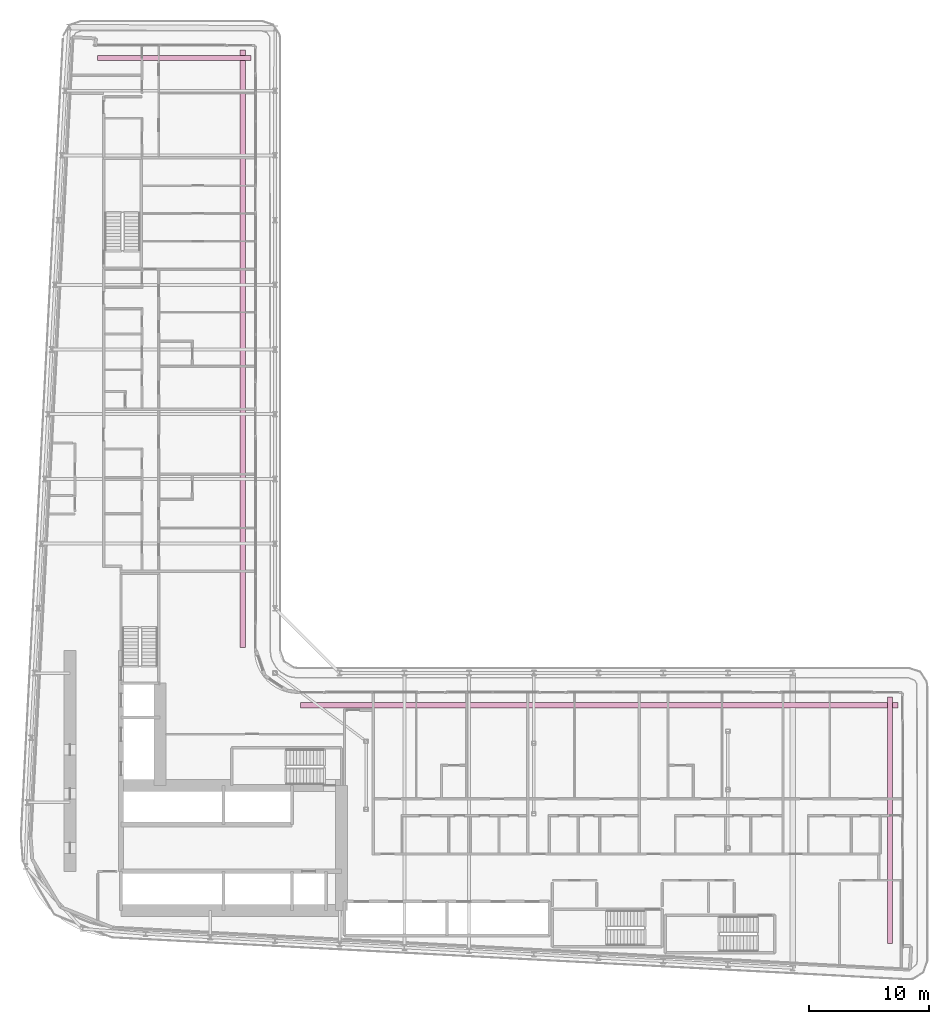
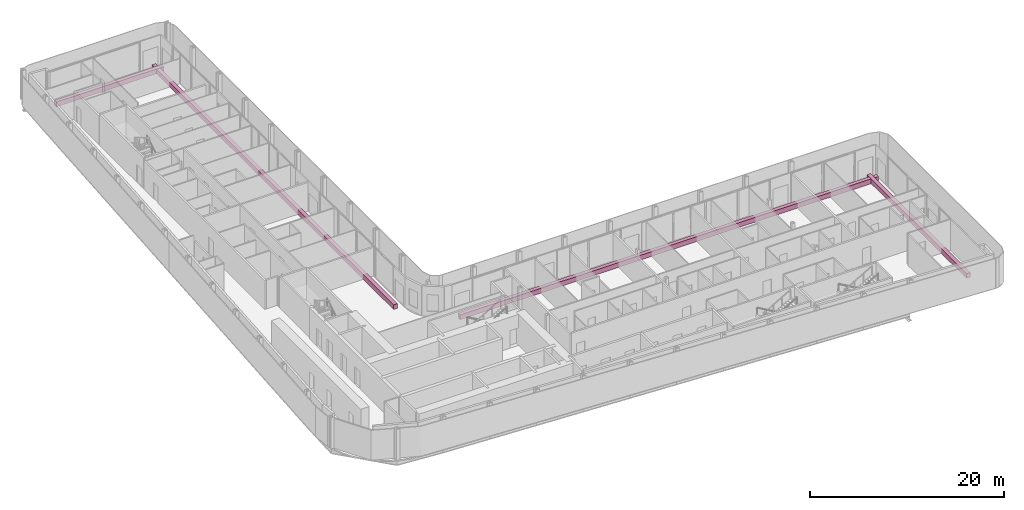
# One storey, part 27 of 27: 4 furniture elements.
"""IFC4 building model written with IfcOpenShell, lengths in metres."""

from ifc_helpers import new_model, si_unit, direction, frame, origin, origin_2d, place, context, subcontext, project, spatial, rectangle, extrude, material, type_object, element, save


model = new_model("IFC4")

# Units and contexts
model_context = context("Model", 3, precision=1e-05, world=origin(), true_north=direction((0.0, 1.0)))
body_context = subcontext(model_context, "Body", "Model", "MODEL_VIEW")
ifc_project = project(units=[si_unit("LENGTHUNIT", "METRE"), si_unit("AREAUNIT", "SQUARE_METRE"), si_unit("VOLUMEUNIT", "CUBIC_METRE"), si_unit("PLANEANGLEUNIT", "RADIAN"), si_unit("MASSUNIT", "GRAM", prefix="KILO")], contexts=[model_context])

# Site, building, storey
site_placement = place(None, origin())
site = spatial("IfcSite", under=ifc_project, at=site_placement, CompositionType="ELEMENT")
building_placement = place(site_placement, origin())
building = spatial("IfcBuilding", under=site, at=building_placement, Name="Kheshtan School and Residences Tower", CompositionType="ELEMENT")
storey_placement = place(building_placement, frame((0.0, 0.0, 53.89990234375)))
storey = spatial("IfcBuildingStorey", under=building, at=storey_placement, Name="L12", CompositionType="ELEMENT", Elevation=53.89990234375)

# Furniture
ifc_material = material(Name="Precast concrete C30/37 in terracotta finish", Category="masonry")
furniture_type = type_object("IfcFurnitureType", Name="Planter trough", AssemblyPlace="NOTDEFINED", PredefinedType="USERDEFINED", material=ifc_material)
furniture_1_placement = place(storey_placement, frame((39.196044921875, 96.925048828125, 0.0), z_axis=(0.0, 0.0, 1.0), x_axis=(1.0, 0.0, 0.0)))
element("IfcFurniture", 1, at=furniture_1_placement, inside=storey, type_object=furniture_type, Name="Planter L12", ObjectType="PLANTER", PredefinedType="USERDEFINED", context=body_context, shape_type="SweptSolid", body=[
    extrude(rectangle(XDim=12.80810546875, YDim=0.449951171875, at=origin_2d()), origin(), (0.0, 0.0, 1.0), 0.60009765625),
])
for number, where, z_axis, x_axis, name in (
    (2, (44.925048828125, 72.6650390625, 0.0), (0.0, 0.0, 1.0), (0.0, -1.0, 0.0), "Planter L12"),
    (3, (74.6650390625, 42.925048828125, 0.0), (0.0, 0.0, 1.0), (1.0, 0.0, 0.0), "Planter L12"),
):
    element("IfcFurniture", number, at=place(storey_placement, frame(where, z_axis=z_axis, x_axis=x_axis)), inside=storey, type_object=furniture_type, Name=name, ObjectType="PLANTER", PredefinedType="USERDEFINED", context=body_context, shape_type="SweptSolid", body=[
        extrude(rectangle(XDim=49.8701171875, YDim=0.449951171875, at=origin_2d()), origin(), (0.0, 0.0, 1.0), 0.60009765625),
    ])
furniture_2_placement = place(storey_placement, frame((98.925048828125, 33.306884765625, 0.0), z_axis=(0.0, 0.0, 1.0), x_axis=(0.0, -1.0, 0.0)))
element("IfcFurniture", 4, at=furniture_2_placement, inside=storey, type_object=furniture_type, Name="Planter L12", ObjectType="PLANTER", PredefinedType="USERDEFINED", context=body_context, shape_type="SweptSolid", body=[
    extrude(rectangle(XDim=20.5859375, YDim=0.449951171875, at=origin_2d()), origin(), (0.0, 0.0, 1.0), 0.60009765625),
])

save(model, "model.ifc")
